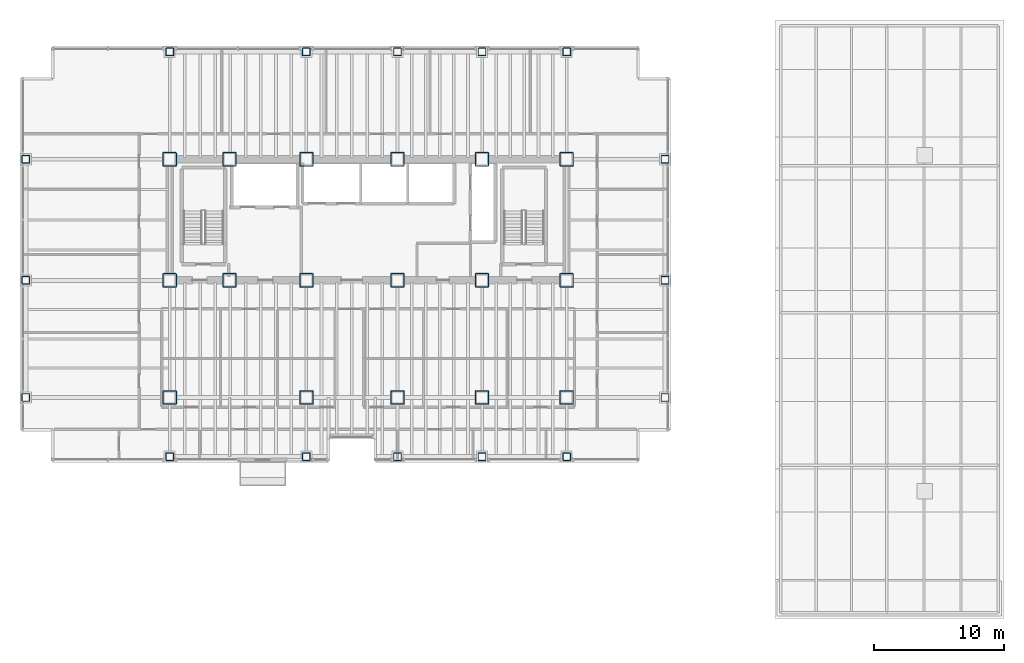
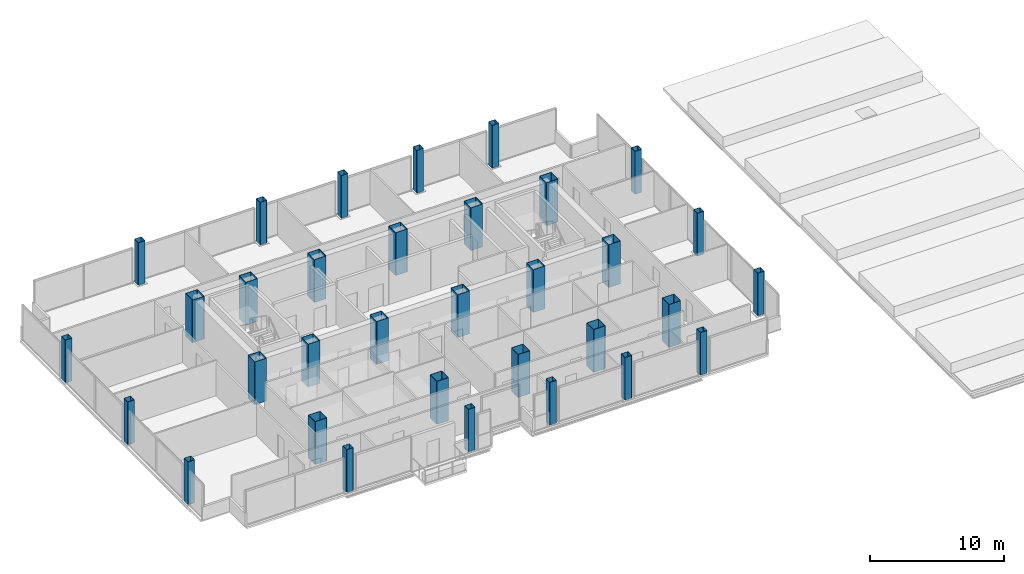
# One storey, part 1 of 30: 33 columns.
"""IFC4 building model written with IfcOpenShell, lengths in metres."""

from ifc_helpers import new_model, si_unit, direction, frame, origin, origin_2d, place, context, subcontext, project, spatial, hollow_rectangle, extrude, material, material_profile, profile_set, type_object, element, save


model = new_model("IFC4")

# Units and contexts
model_context = context("Model", 3, precision=1e-05, world=origin(), true_north=direction((0.0, 1.0)))
body_context = subcontext(model_context, "Body", "Model", "MODEL_VIEW")
ifc_project = project(units=[si_unit("LENGTHUNIT", "METRE"), si_unit("AREAUNIT", "SQUARE_METRE"), si_unit("VOLUMEUNIT", "CUBIC_METRE"), si_unit("PLANEANGLEUNIT", "RADIAN"), si_unit("MASSUNIT", "GRAM", prefix="KILO")], contexts=[model_context])

# Site, building, storey
site_placement = place(None, origin())
site = spatial("IfcSite", under=ifc_project, at=site_placement, CompositionType="ELEMENT")
building_placement = place(site_placement, origin())
building = spatial("IfcBuilding", under=site, at=building_placement, Name="Noeulbin Bourse Tower", CompositionType="ELEMENT")
storey_placement = place(building_placement, frame((0.0, 0.0, 26.5)))
storey = spatial("IfcBuildingStorey", under=building, at=storey_placement, Name="L06", CompositionType="ELEMENT", Elevation=26.5)

# Columns
ifc_material = material(Name="Steel S460", Category="steel")
ifc_material_profile_1 = material_profile(ifc_material, hollow_rectangle(XDim=0.60009765625, YDim=0.60009765625, WallThickness=0.02587890625, InnerFilletRadius=0.012939453125, OuterFilletRadius=0.0390625, at=origin_2d()), Name="BOX-600x600x26", Category="LoadBearing")
ifc_profile_set_1 = profile_set([ifc_material_profile_1], Name="Steel S460")
column_type_1 = type_object("IfcColumnType", Name="COL-PER-Z1", PredefinedType="COLUMN", material=ifc_profile_set_1)
for number, where, z_axis, x_axis, name in (
    (1, (2.449951171875, 20.0, 0.0), (0.0, 0.0, 1.0), (1.0, 0.0, 0.0), "Tower Perimeter Column COL-PER-Z1 01"),
    (2, (2.449951171875, 29.0, 0.0), (0.0, 0.0, 1.0), (1.0, 0.0, 0.0), "Tower Perimeter Column COL-PER-Z1 02"),
    (3, (2.449951171875, 38.300048828125, 0.0), (0.0, 0.0, 1.0), (1.0, 0.0, 0.0), "Tower Perimeter Column COL-PER-Z1 03"),
    (4, (13.5, 15.449951171875, 0.0), (0.0, 0.0, 1.0), (1.0, 0.0, 0.0), "Tower Perimeter Column COL-PER-Z1 04"),
    (5, (13.5, 46.550048828125, 0.0), (0.0, 0.0, 1.0), (1.0, 0.0, 0.0), "Tower Perimeter Column COL-PER-Z1 05"),
    (6, (24.0, 15.449951171875, 0.0), (0.0, 0.0, 1.0), (1.0, 0.0, 0.0), "Tower Perimeter Column COL-PER-Z1 06"),
    (7, (24.0, 46.550048828125, 0.0), (0.0, 0.0, 1.0), (1.0, 0.0, 0.0), "Tower Perimeter Column COL-PER-Z1 07"),
    (8, (31.0, 15.449951171875, 0.0), (0.0, 0.0, 1.0), (1.0, 0.0, 0.0), "Tower Perimeter Column COL-PER-Z1 08"),
    (9, (31.0, 46.550048828125, 0.0), (0.0, 0.0, 1.0), (1.0, 0.0, 0.0), "Tower Perimeter Column COL-PER-Z1 09"),
    (10, (37.5, 15.449951171875, 0.0), (0.0, 0.0, 1.0), (1.0, 0.0, 0.0), "Tower Perimeter Column COL-PER-Z1 10"),
    (11, (37.5, 46.550048828125, 0.0), (0.0, 0.0, 1.0), (1.0, 0.0, 0.0), "Tower Perimeter Column COL-PER-Z1 11"),
    (12, (44.0, 15.449951171875, 0.0), (0.0, 0.0, 1.0), (1.0, 0.0, 0.0), "Tower Perimeter Column COL-PER-Z1 12"),
    (13, (44.0, 46.550048828125, 0.0), (0.0, 0.0, 1.0), (1.0, 0.0, 0.0), "Tower Perimeter Column COL-PER-Z1 13"),
    (14, (51.550048828125, 20.0, 0.0), (0.0, 0.0, 1.0), (1.0, 0.0, 0.0), "Tower Perimeter Column COL-PER-Z1 14"),
    (15, (51.550048828125, 29.0, 0.0), (0.0, 0.0, 1.0), (1.0, 0.0, 0.0), "Tower Perimeter Column COL-PER-Z1 15"),
    (16, (51.550048828125, 38.300048828125, 0.0), (0.0, 0.0, 1.0), (1.0, 0.0, 0.0), "Tower Perimeter Column COL-PER-Z1 16"),
):
    element("IfcColumn", number, at=place(storey_placement, frame(where, z_axis=z_axis, x_axis=x_axis)), inside=storey, type_object=column_type_1, Name=name, PredefinedType="COLUMN", context=body_context, shape_type="SweptSolid", body=[
        extrude(hollow_rectangle(XDim=0.60009765625, YDim=0.60009765625, WallThickness=0.02587890625, InnerFilletRadius=0.012939453125, OuterFilletRadius=0.0390625, at=origin_2d()), origin(), (0.0, 0.0, 1.0), 3.89990234375),
    ])
ifc_material_profile_2 = material_profile(ifc_material, hollow_rectangle(XDim=1.050048828125, YDim=1.050048828125, WallThickness=0.0380859375, InnerFilletRadius=0.01904296875, OuterFilletRadius=0.056884765625, at=origin_2d()), Name="BOX-1050x1050x38", Category="LoadBearing")
ifc_profile_set_2 = profile_set([ifc_material_profile_2], Name="Steel S460")
column_type_2 = type_object("IfcColumnType", Name="COL-TRK-Z1", PredefinedType="COLUMN", material=ifc_profile_set_2)
for number, where, z_axis, x_axis, name in (
    (17, (13.5, 29.0, 0.0), (0.0, 0.0, 1.0), (1.0, 0.0, 0.0), "Tower Trunk Mega-Column COL-TRK-Z1 01"),
    (18, (13.5, 38.300048828125, 0.0), (0.0, 0.0, 1.0), (1.0, 0.0, 0.0), "Tower Trunk Mega-Column COL-TRK-Z1 02"),
    (19, (18.10009765625, 29.0, 0.0), (0.0, 0.0, 1.0), (1.0, 0.0, 0.0), "Tower Trunk Mega-Column COL-TRK-Z1 03"),
    (20, (18.10009765625, 38.300048828125, 0.0), (0.0, 0.0, 1.0), (1.0, 0.0, 0.0), "Tower Trunk Mega-Column COL-TRK-Z1 04"),
    (21, (24.0, 29.0, 0.0), (0.0, 0.0, 1.0), (1.0, 0.0, 0.0), "Tower Trunk Mega-Column COL-TRK-Z1 05"),
    (22, (24.0, 38.300048828125, 0.0), (0.0, 0.0, 1.0), (1.0, 0.0, 0.0), "Tower Trunk Mega-Column COL-TRK-Z1 06"),
    (23, (31.0, 29.0, 0.0), (0.0, 0.0, 1.0), (1.0, 0.0, 0.0), "Tower Trunk Mega-Column COL-TRK-Z1 07"),
    (24, (31.0, 38.300048828125, 0.0), (0.0, 0.0, 1.0), (1.0, 0.0, 0.0), "Tower Trunk Mega-Column COL-TRK-Z1 08"),
    (25, (37.5, 29.0, 0.0), (0.0, 0.0, 1.0), (1.0, 0.0, 0.0), "Tower Trunk Mega-Column COL-TRK-Z1 09"),
    (26, (37.5, 38.300048828125, 0.0), (0.0, 0.0, 1.0), (1.0, 0.0, 0.0), "Tower Trunk Mega-Column COL-TRK-Z1 10"),
    (27, (44.0, 29.0, 0.0), (0.0, 0.0, 1.0), (1.0, 0.0, 0.0), "Tower Trunk Mega-Column COL-TRK-Z1 11"),
    (28, (44.0, 38.300048828125, 0.0), (0.0, 0.0, 1.0), (1.0, 0.0, 0.0), "Tower Trunk Mega-Column COL-TRK-Z1 12"),
    (29, (13.5, 20.0, 0.0), (0.0, 0.0, 1.0), (1.0, 0.0, 0.0), "Tower Trunk Mega-Column COL-TRK-Z1 13"),
    (30, (24.0, 20.0, 0.0), (0.0, 0.0, 1.0), (1.0, 0.0, 0.0), "Tower Trunk Mega-Column COL-TRK-Z1 14"),
    (31, (31.0, 20.0, 0.0), (0.0, 0.0, 1.0), (1.0, 0.0, 0.0), "Tower Trunk Mega-Column COL-TRK-Z1 15"),
    (32, (37.5, 20.0, 0.0), (0.0, 0.0, 1.0), (1.0, 0.0, 0.0), "Tower Trunk Mega-Column COL-TRK-Z1 16"),
    (33, (44.0, 20.0, 0.0), (0.0, 0.0, 1.0), (1.0, 0.0, 0.0), "Tower Trunk Mega-Column COL-TRK-Z1 17"),
):
    element("IfcColumn", number, at=place(storey_placement, frame(where, z_axis=z_axis, x_axis=x_axis)), inside=storey, type_object=column_type_2, Name=name, PredefinedType="COLUMN", context=body_context, shape_type="SweptSolid", body=[
        extrude(hollow_rectangle(XDim=1.050048828125, YDim=1.050048828125, WallThickness=0.0380859375, InnerFilletRadius=0.01904296875, OuterFilletRadius=0.056884765625, at=origin_2d()), origin(), (0.0, 0.0, 1.0), 3.89990234375),
    ])

save(model, "model.ifc")
